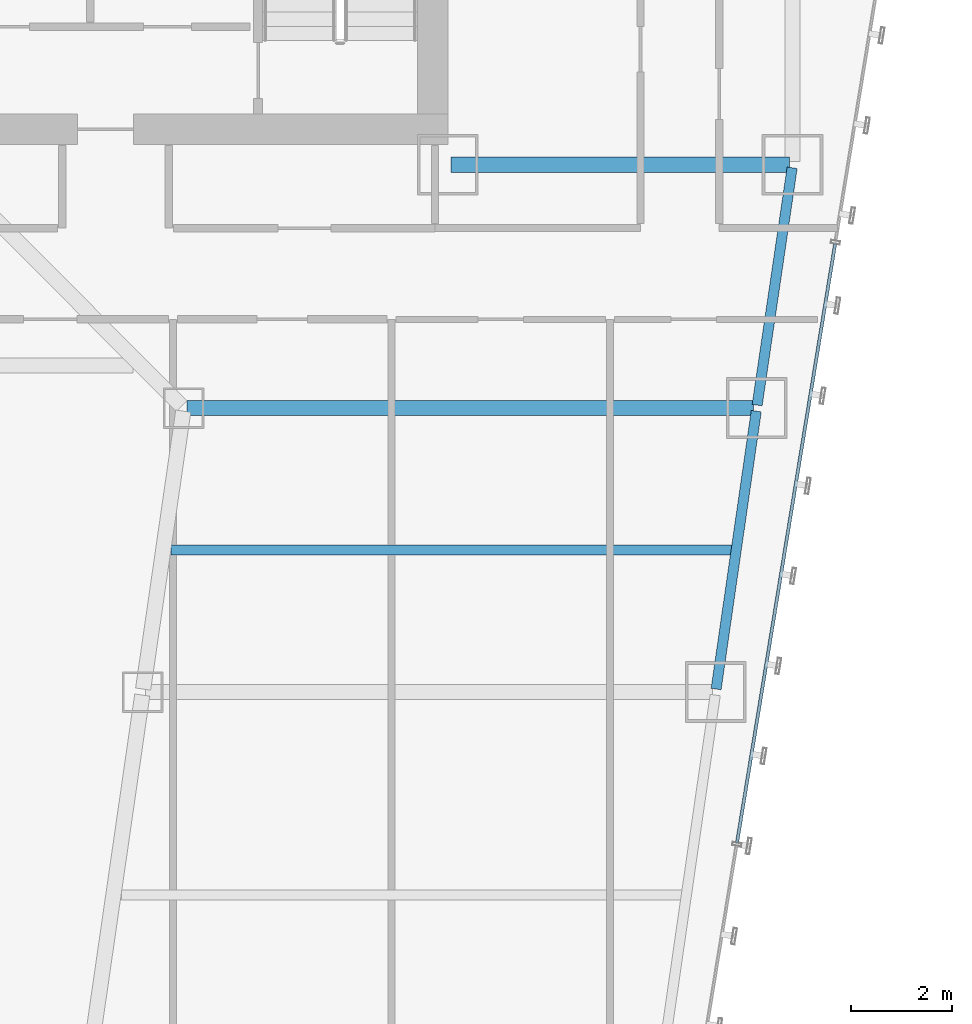
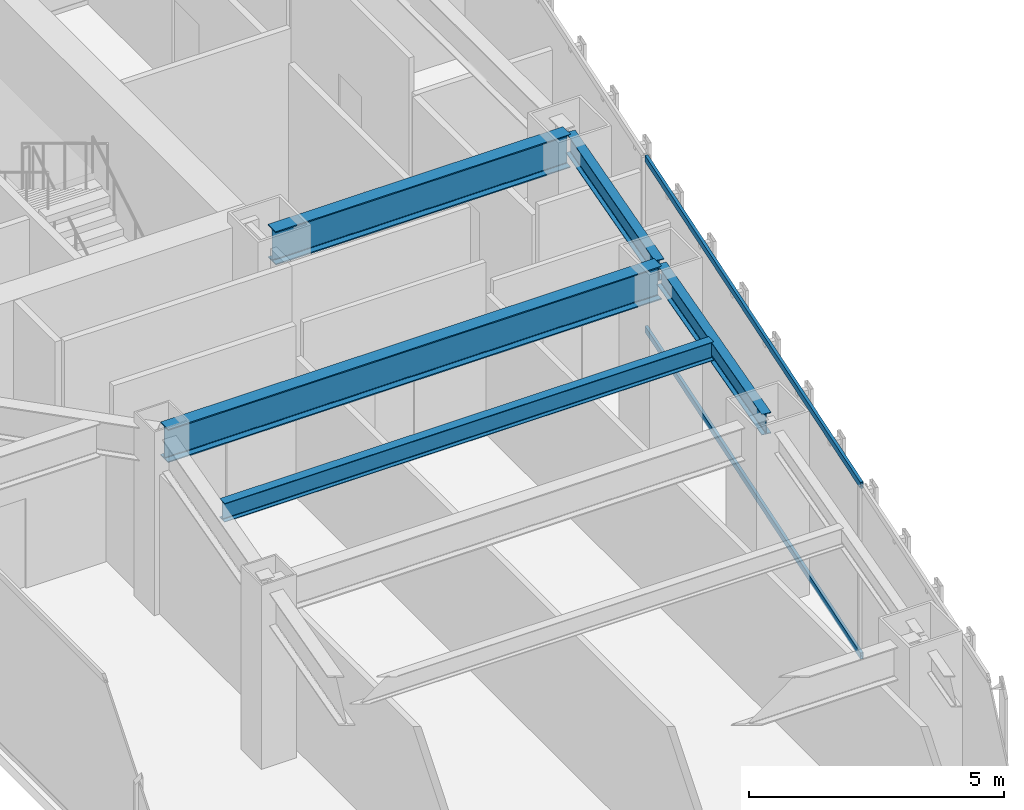
# One storey, part 30 of 47: 5 beams, 2 members, 1 element without a shape of its own.
"""IFC4 building model written with IfcOpenShell, lengths in metres."""

from ifc_helpers import new_model, si_unit, direction, frame, origin, origin_2d, place, context, subcontext, project, spatial, hollow_rectangle, i_section, extrude, material, material_profile, profile_set, type_object, element, aggregate, save


model = new_model("IFC4")

# Units and contexts
model_context = context("Model", 3, precision=1e-05, world=origin(), true_north=direction((0.0, 1.0)))
body_context = subcontext(model_context, "Body", "Model", "MODEL_VIEW")
ifc_project = project(units=[si_unit("LENGTHUNIT", "METRE"), si_unit("AREAUNIT", "SQUARE_METRE"), si_unit("VOLUMEUNIT", "CUBIC_METRE"), si_unit("PLANEANGLEUNIT", "RADIAN"), si_unit("MASSUNIT", "GRAM", prefix="KILO")], contexts=[model_context])

# Site, building, storey
site_placement = place(None, origin())
site = spatial("IfcSite", under=ifc_project, at=site_placement, CompositionType="ELEMENT")
building_placement = place(site_placement, origin())
building = spatial("IfcBuilding", under=site, at=building_placement, Name="Saevonmaru Cultural Tower", CompositionType="ELEMENT")
storey_placement = place(building_placement, frame((0.0, 0.0, 64.800048828125)))
storey = spatial("IfcBuildingStorey", under=building, at=storey_placement, Name="L13", CompositionType="ELEMENT", Elevation=64.800048828125)

# Beams
ifc_material_1 = material(Name="Steel SM420", Category="steel")
ifc_material_profile_1 = material_profile(ifc_material_1, i_section(OverallWidth=0.300048828125, OverallDepth=0.800048828125, WebThickness=0.013916015625, FlangeThickness=0.02587890625, FilletRadius=0.028076171875, at=origin_2d()), Name="H-800x300x14x26")
ifc_profile_set_1 = profile_set([ifc_material_profile_1], Name="Steel SM420")
beam_type_1 = type_object("IfcBeamType", Name="BM-G-H800", PredefinedType="BEAM", material=ifc_profile_set_1)
beam_1_placement = place(storey_placement, frame((46.4599609375, 42.39990234375, 3.75), z_axis=(1.0, 0.0, 0.0), x_axis=(0.0, 1.0, 0.0)))
element("IfcBeam", 1, at=beam_1_placement, inside=storey, type_object=beam_type_1, Name="L13 Core South Girder 5", PredefinedType="BEAM", context=body_context, shape_type="SweptSolid", body=[
    extrude(i_section(OverallWidth=0.300048828125, OverallDepth=0.800048828125, WebThickness=0.013916015625, FlangeThickness=0.02587890625, FilletRadius=0.028076171875, at=origin_2d()), origin(), (0.0, 0.0, 1.0), 6.679931640625),
])
beam_2_placement = place(storey_placement, frame((41.251953125, 37.60009765625, 3.75), z_axis=(1.0, 0.0, 0.0), x_axis=(0.0, 1.0, 0.0)))
element("IfcBeam", 2, at=beam_2_placement, inside=storey, type_object=beam_type_1, Name="L13 East Wing Transverse Girder 6", PredefinedType="BEAM", context=body_context, shape_type="SweptSolid", body=[
    extrude(i_section(OverallWidth=0.300048828125, OverallDepth=0.800048828125, WebThickness=0.013916015625, FlangeThickness=0.02587890625, FilletRadius=0.028076171875, at=origin_2d()), origin(), (0.0, 0.0, 1.0), 11.179931640625),
])
ifc_material_2 = material(Name="Steel SM355", Category="steel")
ifc_material_profile_2 = material_profile(ifc_material_2, i_section(OverallWidth=0.199951171875, OverallDepth=0.449951171875, WebThickness=0.009033203125, FlangeThickness=0.013916015625, FilletRadius=0.01806640625, at=origin_2d()), Name="H-450x200x9x14")
ifc_profile_set_2 = profile_set([ifc_material_profile_2], Name="Steel SM355")
beam_type_2 = type_object("IfcBeamType", Name="BM-J-H450", PredefinedType="JOIST", material=ifc_profile_set_2)
beam_3_placement = place(storey_placement, frame((40.945556640625, 34.800048828125, 3.925048828125), z_axis=(1.0, 0.0, 0.0), x_axis=(0.0, 1.0, 0.0)))
element("IfcBeam", 3, at=beam_3_placement, inside=storey, type_object=beam_type_2, Name="L13 East Wing Floor Joist 5", PredefinedType="JOIST", context=body_context, shape_type="SweptSolid", body=[
    extrude(i_section(OverallWidth=0.199951171875, OverallDepth=0.449951171875, WebThickness=0.009033203125, FlangeThickness=0.013916015625, FilletRadius=0.01806640625, at=origin_2d()), origin(), (0.0, 0.0, 1.0), 11.08203125),
])
ifc_material_profile_3 = material_profile(ifc_material_2, i_section(OverallWidth=0.199951171875, OverallDepth=0.5, WebThickness=0.010009765625, FlangeThickness=0.01611328125, FilletRadius=0.02001953125, at=origin_2d()), Name="H-500x200x10x16")
ifc_profile_set_3 = profile_set([ifc_material_profile_3], Name="Steel SM355")
beam_type_3 = type_object("IfcBeamType", Name="BM-SP-H500", PredefinedType="SPANDREL", material=ifc_profile_set_3)
beam_4_placement = place(storey_placement, frame((51.691650390625, 32.059326171875, 3.89990234375), z_axis=(0.142964121327, 0.989727871697, 0.0), x_axis=(-0.989727871697, 0.142964121327, 0.0)))
element("IfcBeam", 4, at=beam_4_placement, inside=storey, type_object=beam_type_3, Name="L13 East Splayed Spandrel 5", PredefinedType="SPANDREL", context=body_context, shape_type="SweptSolid", body=[
    extrude(i_section(OverallWidth=0.199951171875, OverallDepth=0.5, WebThickness=0.010009765625, FlangeThickness=0.01611328125, FilletRadius=0.02001953125, at=origin_2d()), origin(), (0.0, 0.0, 1.0), 5.5380859375),
])
beam_5_placement = place(storey_placement, frame((52.500732421875, 37.659423828125, 3.89990234375), z_axis=(0.145912860028, 0.989297446312, 0.0), x_axis=(-0.989297446312, 0.145912860028, 0.0)))
element("IfcBeam", 5, at=beam_5_placement, inside=storey, type_object=beam_type_3, Name="L13 East Splayed Spandrel 6", PredefinedType="SPANDREL", context=body_context, shape_type="SweptSolid", body=[
    extrude(i_section(OverallWidth=0.199951171875, OverallDepth=0.5, WebThickness=0.010009765625, FlangeThickness=0.01611328125, FilletRadius=0.02001953125, at=origin_2d()), origin(), (0.0, 0.0, 1.0), 4.731689453125),
])

# Curtain wall, members
ifc_material_3 = material(Name="Satin Bronze Anodised Aluminium", Category="aluminium")
curtain_wall_type = type_object("IfcCurtainWallType", Name="CW-TYP-A", PredefinedType="NOTDEFINED", material=ifc_material_3)
curtain_wall_placement = place(storey_placement, origin())
curtain_wall = element("IfcCurtainWall", 6, at=curtain_wall_placement, inside=storey, type_object=curtain_wall_type, Name="L13 Unitised Curtain Wall E8", PredefinedType="NOTDEFINED")
ifc_material_profile_4 = material_profile(ifc_material_3, hollow_rectangle(XDim=0.06494140625, YDim=0.14990234375, WallThickness=0.00390625, at=origin_2d()), Name="ALU-TRAN-150x65x4")
ifc_profile_set_4 = profile_set([ifc_material_profile_4], Name="Satin Bronze Anodised Aluminium")
member_type = type_object("IfcMemberType", Name="TR-CW-150x65", PredefinedType="USERDEFINED", material=ifc_profile_set_4)
member_1_placement = place(storey_placement, frame((52.105224609375, 29.031982421875, 0.032470703125), z_axis=(0.161701400727, 0.986839732177, 0.0), x_axis=(-0.986839732177, 0.161701400727, 0.0)))
member_1 = element("IfcMember", 7, at=member_1_placement, type_object=member_type, Name="CW-TW-L13-E8 transom 3.1", ObjectType="TRANSOM", PredefinedType="USERDEFINED", context=body_context, shape_type="SweptSolid", body=[
    extrude(hollow_rectangle(XDim=0.06494140625, YDim=0.14990234375, WallThickness=0.00390625, at=origin_2d()), origin(), (0.0, 0.0, 1.0), 11.9638671875),
])
member_2_placement = place(storey_placement, frame((52.105224609375, 29.031982421875, 4.117431640625), z_axis=(0.161701400727, 0.986839732177, 0.0), x_axis=(-0.986839732177, 0.161701400727, 0.0)))
member_2 = element("IfcMember", 8, at=member_2_placement, type_object=member_type, Name="CW-TW-L13-E8 transom 3.2", ObjectType="TRANSOM", PredefinedType="USERDEFINED", context=body_context, shape_type="SweptSolid", body=[
    extrude(hollow_rectangle(XDim=0.06494140625, YDim=0.14990234375, WallThickness=0.00390625, at=origin_2d()), origin(), (0.0, 0.0, 1.0), 11.9638671875),
])
aggregate(curtain_wall, [member_1, member_2])

save(model, "model.ifc")
